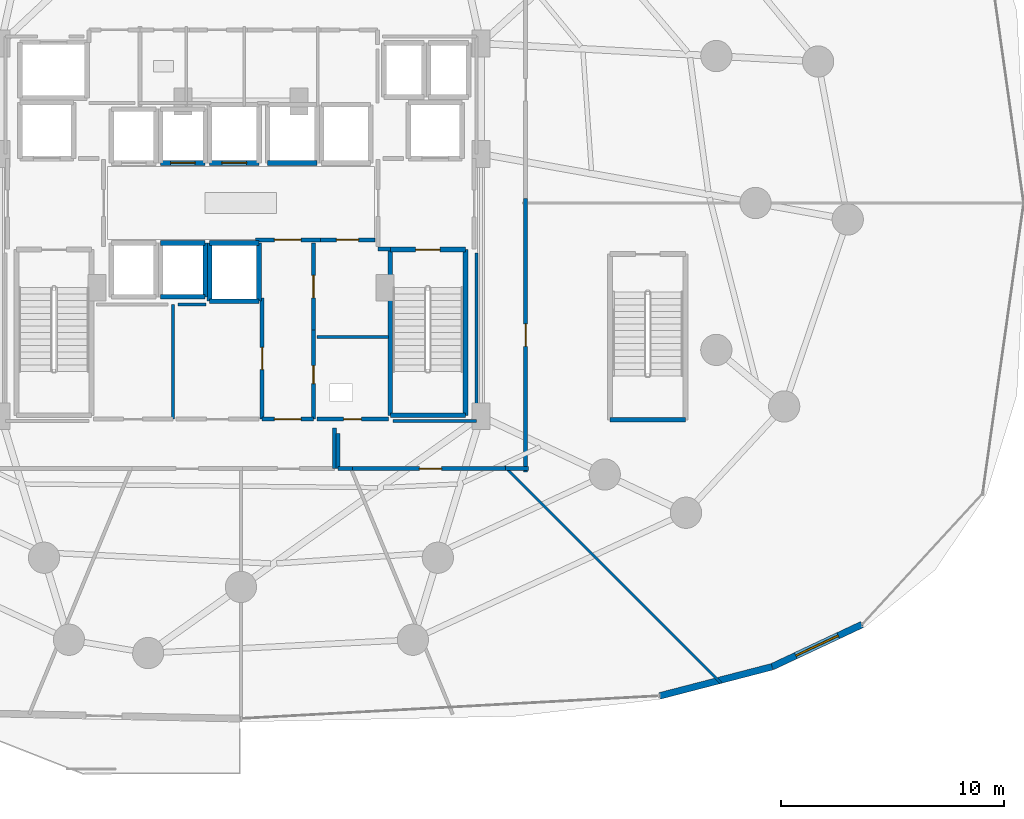
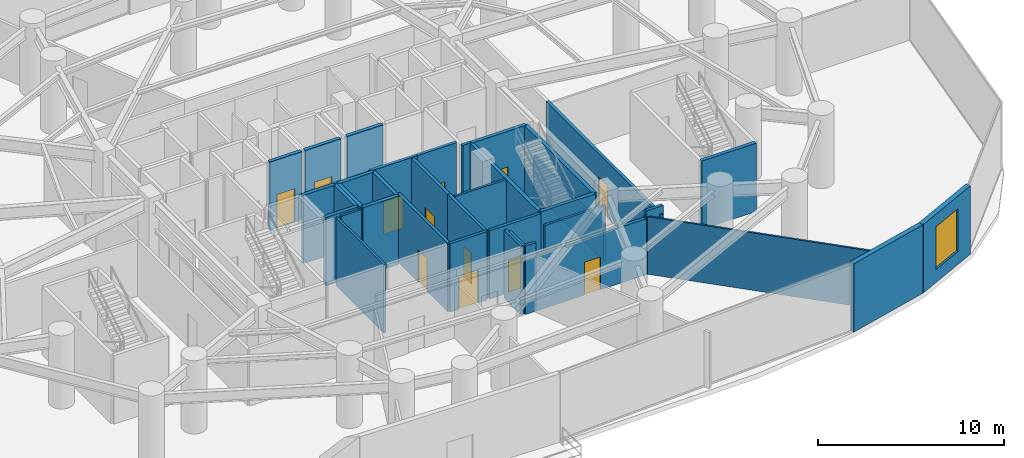
# One storey, part 25 of 30: 37 walls, 12 doors, 1 window, 13 openings.
"""IFC4 building model written with IfcOpenShell, lengths in metres."""

from ifc_helpers import new_model, si_unit, direction, frame, frame_2d, origin, place, context, subcontext, project, spatial, rectangle, extrude, material, layer, layer_set, type_object, element, fill, save


model = new_model("IFC4")

# Units and contexts
model_context = context("Model", 3, precision=1e-05, world=origin(), true_north=direction((0.0, 1.0)))
body_context = subcontext(model_context, "Body", "Model", "MODEL_VIEW")
ifc_project = project(units=[si_unit("LENGTHUNIT", "METRE"), si_unit("AREAUNIT", "SQUARE_METRE"), si_unit("VOLUMEUNIT", "CUBIC_METRE"), si_unit("PLANEANGLEUNIT", "RADIAN"), si_unit("MASSUNIT", "GRAM", prefix="KILO")], contexts=[model_context])

# Site, building, storey
site_placement = place(None, origin())
site = spatial("IfcSite", under=ifc_project, at=site_placement, CompositionType="ELEMENT")
building_placement = place(site_placement, origin())
building = spatial("IfcBuilding", under=site, at=building_placement, Name="Vorneva Point Tower", CompositionType="ELEMENT")
storey_placement = place(building_placement, frame((0.0, 0.0, 9.60009765625)))
storey = spatial("IfcBuildingStorey", under=building, at=storey_placement, Name="L02", CompositionType="ELEMENT", Elevation=9.60009765625)

# Wall
ifc_material_1 = material(Name="Precast concrete B50 (C40/50)", Category="concrete")
ifc_layer_1 = layer(ifc_material_1, 0.300048828125)
ifc_layer_set_1 = layer_set([ifc_layer_1], Name="Precast concrete B50 (C40/50)")
wall_type_1 = type_object("IfcWallType", Name="WL-EXT-300", PredefinedType="STANDARD", material=ifc_layer_set_1)
wall_1_placement = place(storey_placement, frame((56.75390625, 3.9189453125, 0.0), z_axis=(0.0, 0.0, 1.0), x_axis=(0.968005762902, 0.250927963744, 0.0)))
element("IfcWall", 1, at=wall_1_placement, inside=storey, type_object=wall_type_1, Name="L02 Pale-Metal Facade Spandrel Wall 14.1", PredefinedType="STANDARD", context=body_context, shape_type="SweptSolid", body=[
    extrude(rectangle(XDim=5.203369140625, YDim=0.300048828125, at=frame_2d((2.6015625, 0.0))), origin(), (0.0, 0.0, 1.0), 4.47998046875),
])

# Wall, opening, window
wall_2_placement = place(storey_placement, frame((61.790771484375, 5.224609375, 0.0), z_axis=(0.0, 0.0, 1.0), x_axis=(0.905197342389, 0.4249914956, 0.0)))
wall_2 = element("IfcWall", 2, at=wall_2_placement, inside=storey, type_object=wall_type_1, Name="L02 Pale-Metal Facade Spandrel Wall 14.2", PredefinedType="STANDARD", context=body_context, shape_type="SweptSolid", body=[
    extrude(rectangle(XDim=4.45263671875, YDim=0.300048828125, at=frame_2d((2.226318359375, 0.0))), origin(), (0.0, 0.0, 1.0), 4.47998046875),
])
opening_1_placement = place(wall_2_placement, frame((1.17626953125, 0.0, 0.85009765625)))
opening_1 = element("IfcOpeningElement", 3, at=opening_1_placement, cuts=wall_2, Name="Opening W-05", PredefinedType="OPENING", context=body_context, shape_type="SweptSolid", body=[
    extrude(rectangle(XDim=2.10009765625, YDim=2.800048828125, at=frame_2d((1.050048828125, 1.39990234375))), frame((0.0, 0.1650390625, 0.0), z_axis=(0.0, -1.0, 0.0), x_axis=(1.0, 0.0, 0.0)), (0.0, 0.0, 1.0), 0.329833984375),
])
ifc_material_2 = material(Name="Double low-e laminated glass IGU", Category="glass")
window_type = type_object("IfcWindowType", Name="WN-POD-2100", PartitioningType="SINGLE_PANEL", PredefinedType="WINDOW", material=ifc_material_2)
window_placement = place(opening_1_placement, origin())
window = element("IfcWindow", 4, at=window_placement, inside=storey, type_object=window_type, Name="L02 Facade Window 14", OverallHeight=2.800048828125, OverallWidth=2.10009765625, PartitioningType="SINGLE_PANEL", PredefinedType="WINDOW", context=body_context, shape_type="SweptSolid", body=[
    extrude(rectangle(XDim=2.10009765625, YDim=2.800048828125, at=frame_2d((1.050048828125, 1.39990234375))), frame((0.0, 0.030029296875, 0.0), z_axis=(0.0, -1.0, 0.0), x_axis=(1.0, 0.0, 0.0)), (0.0, 0.0, 1.0), 0.06005859375),
])
fill(opening_1, window)

# Walls
ifc_material_3 = material(Name="Fire-rated acoustic gypsum stud partition", Category="gypsum")
ifc_layer_2 = layer(ifc_material_3, 0.110107421875)
ifc_layer_set_2 = layer_set([ifc_layer_2], Name="Fire-rated acoustic gypsum stud partition")
wall_type_2 = type_object("IfcWallType", Name="WL-PART-110", PredefinedType="PARTITIONING", material=ifc_layer_set_2)
wall_3_placement = place(storey_placement, frame((59.5, 4.5, 0.0), z_axis=(0.0, 0.0, 1.0), x_axis=(-0.707106781187, 0.707106781187, 0.0)))
element("IfcWall", 5, at=wall_3_placement, inside=storey, type_object=wall_type_2, Name="L02 Interior Partition 049", PredefinedType="PARTITIONING", context=body_context, shape_type="SweptSolid", body=[
    extrude(rectangle(XDim=13.71630859375, YDim=0.110107421875, at=frame_2d((6.858154296875, 0.0))), origin(), (0.0, 0.0, 1.0), 3.768798828125),
])
ifc_layer_3 = layer(ifc_material_3, 0.139892578125)
ifc_layer_set_3 = layer_set([ifc_layer_3], Name="Fire-rated acoustic gypsum stud partition")
wall_type_3 = type_object("IfcWallType", Name="WL-PART-140", PredefinedType="PARTITIONING", material=ifc_layer_set_3)
wall_4_placement = place(storey_placement, frame((44.60009765625, 20.0, 0.0), z_axis=(0.0, 0.0, 1.0), x_axis=(-1.0, 0.0, 0.0)))
element("IfcWall", 6, at=wall_4_placement, inside=storey, type_object=wall_type_3, Name="L02 Interior Partition 015", PredefinedType="PARTITIONING", context=body_context, shape_type="SweptSolid", body=[
    extrude(rectangle(XDim=3.2001953125, YDim=0.139892578125, at=frame_2d((1.60009765625, 0.0))), origin(), (0.0, 0.0, 1.0), 4.47998046875),
])
wall_5_placement = place(storey_placement, frame((34.949951171875, 16.320068359375, 0.0), z_axis=(0.0, 0.0, 1.0), x_axis=(0.0, 1.0, 0.0)))
element("IfcWall", 7, at=wall_5_placement, inside=storey, type_object=wall_type_3, Name="L02 Interior Partition 025", PredefinedType="PARTITIONING", context=body_context, shape_type="SweptSolid", body=[
    extrude(rectangle(XDim=5.1298828125, YDim=0.139892578125, at=frame_2d((2.56494140625, 0.0))), origin(), (0.0, 0.0, 1.0), 4.47998046875),
])
wall_6_placement = place(storey_placement, frame((36.43896484375, 21.449951171875, 0.0), z_axis=(0.0, 0.0, 1.0), x_axis=(-1.0, 0.0, 0.0)))
element("IfcWall", 8, at=wall_6_placement, inside=storey, type_object=wall_type_3, Name="L02 Interior Closure Partition 059", PredefinedType="PARTITIONING", context=body_context, shape_type="SweptSolid", body=[
    extrude(rectangle(XDim=1.259033203125, YDim=0.139892578125, at=frame_2d((0.62939453125, 0.0))), origin(), (0.0, 0.0, 1.0), 4.47998046875),
])
wall_7_placement = place(storey_placement, frame((48.550048828125, 23.75390625, 0.0), z_axis=(0.0, 0.0, 1.0), x_axis=(0.0, -1.0, 0.0)))
element("IfcWall", 9, at=wall_7_placement, inside=storey, type_object=wall_type_3, Name="L02 Interior Closure Partition 062", PredefinedType="PARTITIONING", context=body_context, shape_type="SweptSolid", body=[
    extrude(rectangle(XDim=7.513916015625, YDim=0.139892578125, at=frame_2d((3.7568359375, 0.0))), origin(), (0.0, 0.0, 1.0), 2.406005859375),
])
wall_8_placement = place(storey_placement, frame((48.550048828125, 16.239990234375, 0.0), z_axis=(0.0, 0.0, 1.0), x_axis=(-1.0, 0.0, 0.0)))
element("IfcWall", 10, at=wall_8_placement, inside=storey, type_object=wall_type_3, Name="L02 Interior Closure Partition 063", PredefinedType="PARTITIONING", context=body_context, shape_type="SweptSolid", body=[
    extrude(rectangle(XDim=3.7451171875, YDim=0.139892578125, at=frame_2d((1.87255859375, 0.0))), origin(), (0.0, 0.0, 1.0), 3.671875),
])
ifc_material_4 = material(Name="Autoclaved aerated concrete blockwork", Category="masonry")
ifc_layer_4 = layer(ifc_material_4, 0.179931640625)
ifc_layer_set_4 = layer_set([ifc_layer_4], Name="Autoclaved aerated concrete blockwork")
wall_type_4 = type_object("IfcWallType", Name="WL-PART-180", PredefinedType="PARTITIONING", material=ifc_layer_set_4)
wall_9_placement = place(storey_placement, frame((44.14990234375, 23.949951171875, 0.0), z_axis=(0.0, 0.0, 1.0), x_axis=(1.0, 0.0, 0.0)))
element("IfcWall", 11, at=wall_9_placement, inside=storey, type_object=wall_type_4, Name="L02 Interior Partition 004", PredefinedType="PARTITIONING", context=body_context, shape_type="SweptSolid", body=[
    extrude(rectangle(XDim=0.5400390625, YDim=0.179931640625, at=frame_2d((0.27001953125, 0.0))), origin(), (0.0, 0.0, 1.0), 4.47998046875),
])

# Wall, opening, door
wall_10_placement = place(storey_placement, frame((38.64501953125, 24.35009765625, 0.0), z_axis=(0.0, 0.0, 1.0), x_axis=(1.0, 0.0, 0.0)))
wall_10 = element("IfcWall", 12, at=wall_10_placement, inside=storey, type_object=wall_type_4, Name="L02 Interior Partition 009", PredefinedType="PARTITIONING", context=body_context, shape_type="SweptSolid", body=[
    extrude(rectangle(XDim=2.909912109375, YDim=0.179931640625, at=frame_2d((1.455078125, 0.0))), origin(), (0.0, 0.0, 1.0), 4.47998046875),
])
opening_2_placement = place(wall_10_placement, frame((0.85498046875, 0.0, 0.0)))
opening_2 = element("IfcOpeningElement", 13, at=opening_2_placement, cuts=wall_10, Name="Opening FD-02", PredefinedType="OPENING", context=body_context, shape_type="SweptSolid", body=[
    extrude(rectangle(XDim=1.199951171875, YDim=2.14990234375, at=frame_2d((0.60009765625, 1.074951171875))), frame((0.0, 0.10498046875, 0.0), z_axis=(0.0, -1.0, 0.0), x_axis=(1.0, 0.0, 0.0)), (0.0, 0.0, 1.0), 0.209716796875),
])
ifc_material_5 = material(Name="Fire-rated powder-coated steel", Category="steel")
door_type_1 = type_object("IfcDoorType", Name="DR-FFL-1200", OperationType="NOTDEFINED", PredefinedType="DOOR", material=ifc_material_5)
door_1_placement = place(opening_2_placement, origin())
door_1 = element("IfcDoor", 14, at=door_1_placement, inside=storey, type_object=door_type_1, Name="L02 Door Central Lift Lobby / Core Service Lobby", OperationType="SINGLE_SWING_RIGHT", OverallHeight=2.14990234375, OverallWidth=1.199951171875, PredefinedType="DOOR", context=body_context, shape_type="SweptSolid", body=[
    extrude(rectangle(XDim=1.199951171875, YDim=2.14990234375, at=frame_2d((0.60009765625, 1.074951171875))), frame((0.0, 0.02490234375, 0.0), z_axis=(0.0, -1.0, 0.0), x_axis=(1.0, 0.0, 0.0)), (0.0, 0.0, 1.0), 0.050048828125),
])
fill(opening_2, door_1)

wall_11_placement = place(storey_placement, frame((41.554931640625, 24.35009765625, 0.0), z_axis=(0.0, 0.0, 1.0), x_axis=(1.0, 0.0, 0.0)))
wall_11 = element("IfcWall", 15, at=wall_11_placement, inside=storey, type_object=wall_type_4, Name="L02 Interior Partition 010", PredefinedType="PARTITIONING", context=body_context, shape_type="SweptSolid", body=[
    extrude(rectangle(XDim=2.445068359375, YDim=0.179931640625, at=frame_2d((1.22265625, 0.0))), origin(), (0.0, 0.0, 1.0), 4.47998046875),
])
opening_3_placement = place(wall_11_placement, frame((0.722412109375, 0.0, 0.0)))
opening_3 = element("IfcOpeningElement", 16, at=opening_3_placement, cuts=wall_11, Name="Opening UD-01", PredefinedType="OPENING", context=body_context, shape_type="SweptSolid", body=[
    extrude(rectangle(XDim=1.0, YDim=2.14990234375, at=frame_2d((0.5, 1.074951171875))), frame((0.0, 0.10498046875, 0.0), z_axis=(0.0, -1.0, 0.0), x_axis=(1.0, 0.0, 0.0)), (0.0, 0.0, 1.0), 0.209716796875),
])
ifc_material_6 = material(Name="Engineered oak fire-rated door leaf", Category="wood")
door_type_2 = type_object("IfcDoorType", Name="DR-UNIT-1000", OperationType="NOTDEFINED", PredefinedType="DOOR", material=ifc_material_6)
door_2_placement = place(opening_3_placement, origin())
door_2 = element("IfcDoor", 17, at=door_2_placement, inside=storey, type_object=door_type_2, Name="L02 Door Central Lift Lobby / Floor Management Office", OperationType="SINGLE_SWING_LEFT", OverallHeight=2.14990234375, OverallWidth=1.0, PredefinedType="DOOR", context=body_context, shape_type="SweptSolid", body=[
    extrude(rectangle(XDim=1.0, YDim=2.14990234375, at=frame_2d((0.5, 1.074951171875))), frame((0.0, 0.02490234375, 0.0), z_axis=(0.0, -1.0, 0.0), x_axis=(1.0, 0.0, 0.0)), (0.0, 0.0, 1.0), 0.050048828125),
])
fill(opening_3, door_2)

wall_12_placement = place(storey_placement, frame((41.25, 16.320068359375, 0.0), z_axis=(0.0, 0.0, 1.0), x_axis=(0.0, 1.0, 0.0)))
wall_12 = element("IfcWall", 18, at=wall_12_placement, inside=storey, type_object=wall_type_4, Name="L02 Interior Partition 011", PredefinedType="PARTITIONING", context=body_context, shape_type="SweptSolid", body=[
    extrude(rectangle(XDim=3.98486328125, YDim=0.179931640625, at=frame_2d((1.992431640625, 0.0))), origin(), (0.0, 0.0, 1.0), 4.47998046875),
])
opening_4_placement = place(wall_12_placement, frame((1.592529296875, 0.0, 0.0)))
opening_4 = element("IfcOpeningElement", 19, at=opening_4_placement, cuts=wall_12, Name="Opening RD-01", PredefinedType="OPENING", context=body_context, shape_type="SweptSolid", body=[
    extrude(rectangle(XDim=0.800048828125, YDim=2.050048828125, at=frame_2d((0.39990234375, 1.02490234375))), frame((0.0, 0.10498046875, 0.0), z_axis=(0.0, -1.0, 0.0), x_axis=(1.0, 0.0, 0.0)), (0.0, 0.0, 1.0), 0.209716796875),
])
door_type_3 = type_object("IfcDoorType", Name="DR-RSR-800", OperationType="SINGLE_SWING_LEFT", PredefinedType="DOOR", material=ifc_material_5)
door_3_placement = place(opening_4_placement, origin())
door_3 = element("IfcDoor", 20, at=door_3_placement, inside=storey, type_object=door_type_3, Name="L02 Door Core Service Lobby / Electrical Riser", OperationType="SINGLE_SWING_RIGHT", OverallHeight=2.050048828125, OverallWidth=0.800048828125, PredefinedType="DOOR", context=body_context, shape_type="SweptSolid", body=[
    extrude(rectangle(XDim=0.800048828125, YDim=2.050048828125, at=frame_2d((0.39990234375, 1.02490234375))), frame((0.0, 0.02490234375, 0.0), z_axis=(0.0, -1.0, 0.0), x_axis=(1.0, 0.0, 0.0)), (0.0, 0.0, 1.0), 0.050048828125),
])
fill(opening_4, door_3)

wall_13_placement = place(storey_placement, frame((41.25, 20.304931640625, 0.0), z_axis=(0.0, 0.0, 1.0), x_axis=(0.0, 1.0, 0.0)))
wall_13 = element("IfcWall", 21, at=wall_13_placement, inside=storey, type_object=wall_type_4, Name="L02 Interior Partition 012", PredefinedType="PARTITIONING", context=body_context, shape_type="SweptSolid", body=[
    extrude(rectangle(XDim=3.89501953125, YDim=0.179931640625, at=frame_2d((1.947509765625, 0.0))), origin(), (0.0, 0.0, 1.0), 4.47998046875),
])
opening_5_placement = place(wall_13_placement, frame((1.447509765625, 0.0, 0.0)))
opening_5 = element("IfcOpeningElement", 22, at=opening_5_placement, cuts=wall_13, Name="Opening UD-01", PredefinedType="OPENING", context=body_context, shape_type="SweptSolid", body=[
    extrude(rectangle(XDim=1.0, YDim=2.14990234375, at=frame_2d((0.5, 1.074951171875))), frame((0.0, 0.10498046875, 0.0), z_axis=(0.0, -1.0, 0.0), x_axis=(1.0, 0.0, 0.0)), (0.0, 0.0, 1.0), 0.209716796875),
])
door_4_placement = place(opening_5_placement, origin())
door_4 = element("IfcDoor", 23, at=door_4_placement, inside=storey, type_object=door_type_2, Name="L02 Door Core Service Lobby / Floor Management Office", OperationType="SINGLE_SWING_LEFT", OverallHeight=2.14990234375, OverallWidth=1.0, PredefinedType="DOOR", context=body_context, shape_type="SweptSolid", body=[
    extrude(rectangle(XDim=1.0, YDim=2.14990234375, at=frame_2d((0.5, 1.074951171875))), frame((0.0, 0.02490234375, 0.0), z_axis=(0.0, -1.0, 0.0), x_axis=(1.0, 0.0, 0.0)), (0.0, 0.0, 1.0), 0.050048828125),
])
fill(opening_5, door_4)

wall_14_placement = place(storey_placement, frame((38.949951171875, 21.7548828125, 0.0), z_axis=(0.0, 0.0, 1.0), x_axis=(0.0, -1.0, 0.0)))
wall_14 = element("IfcWall", 24, at=wall_14_placement, inside=storey, type_object=wall_type_4, Name="L02 Interior Partition 013", PredefinedType="PARTITIONING", context=body_context, shape_type="SweptSolid", body=[
    extrude(rectangle(XDim=5.434814453125, YDim=0.179931640625, at=frame_2d((2.71728515625, 0.0))), origin(), (0.0, 0.0, 1.0), 4.47998046875),
])
opening_6_placement = place(wall_14_placement, frame((2.217529296875, 0.0, 0.0)))
opening_6 = element("IfcOpeningElement", 25, at=opening_6_placement, cuts=wall_14, Name="Opening UD-01", PredefinedType="OPENING", context=body_context, shape_type="SweptSolid", body=[
    extrude(rectangle(XDim=1.0, YDim=2.14990234375, at=frame_2d((0.5, 1.074951171875))), frame((0.0, 0.10498046875, 0.0), z_axis=(0.0, -1.0, 0.0), x_axis=(1.0, 0.0, 0.0)), (0.0, 0.0, 1.0), 0.209716796875),
])
door_5_placement = place(opening_6_placement, origin())
door_5 = element("IfcDoor", 26, at=door_5_placement, inside=storey, type_object=door_type_2, Name="L02 Door Core Service Lobby / Staff Service Pantry", OperationType="SINGLE_SWING_RIGHT", OverallHeight=2.14990234375, OverallWidth=1.0, PredefinedType="DOOR", context=body_context, shape_type="SweptSolid", body=[
    extrude(rectangle(XDim=1.0, YDim=2.14990234375, at=frame_2d((0.5, 1.074951171875))), frame((0.0, 0.02490234375, 0.0), z_axis=(0.0, -1.0, 0.0), x_axis=(1.0, 0.0, 0.0)), (0.0, 0.0, 1.0), 0.050048828125),
])
fill(opening_6, door_5)

wall_15_placement = place(storey_placement, frame((38.949951171875, 16.320068359375, 0.0), z_axis=(0.0, 0.0, 1.0), x_axis=(1.0, 0.0, 0.0)))
wall_15 = element("IfcWall", 27, at=wall_15_placement, inside=storey, type_object=wall_type_4, Name="L02 Interior Partition 014", PredefinedType="PARTITIONING", context=body_context, shape_type="SweptSolid", body=[
    extrude(rectangle(XDim=2.300048828125, YDim=0.179931640625, at=frame_2d((1.14990234375, 0.0))), origin(), (0.0, 0.0, 1.0), 4.47998046875),
])
opening_7_placement = place(wall_15_placement, frame((0.550048828125, 0.0, 0.0)))
opening_7 = element("IfcOpeningElement", 28, at=opening_7_placement, cuts=wall_15, Name="Opening FD-02", PredefinedType="OPENING", context=body_context, shape_type="SweptSolid", body=[
    extrude(rectangle(XDim=1.199951171875, YDim=2.14990234375, at=frame_2d((0.60009765625, 1.074951171875))), frame((0.0, 0.10498046875, 0.0), z_axis=(0.0, -1.0, 0.0), x_axis=(1.0, 0.0, 0.0)), (0.0, 0.0, 1.0), 0.209716796875),
])
door_6_placement = place(opening_7_placement, origin())
door_6 = element("IfcDoor", 29, at=door_6_placement, inside=storey, type_object=door_type_1, Name="L02 Door Core Service Lobby / L02 Circulation Corridor", OperationType="SINGLE_SWING_LEFT", OverallHeight=2.14990234375, OverallWidth=1.199951171875, PredefinedType="DOOR", context=body_context, shape_type="SweptSolid", body=[
    extrude(rectangle(XDim=1.199951171875, YDim=2.14990234375, at=frame_2d((0.60009765625, 1.074951171875))), frame((0.0, 0.02490234375, 0.0), z_axis=(0.0, -1.0, 0.0), x_axis=(1.0, 0.0, 0.0)), (0.0, 0.0, 1.0), 0.050048828125),
])
fill(opening_7, door_6)

wall_16_placement = place(storey_placement, frame((41.39990234375, 16.320068359375, 0.0), z_axis=(0.0, 0.0, 1.0), x_axis=(1.0, 0.0, 0.0)))
wall_16 = element("IfcWall", 30, at=wall_16_placement, inside=storey, type_object=wall_type_4, Name="L02 Interior Partition 016", PredefinedType="PARTITIONING", context=body_context, shape_type="SweptSolid", body=[
    extrude(rectangle(XDim=3.2001953125, YDim=0.179931640625, at=frame_2d((1.60009765625, 0.0))), origin(), (0.0, 0.0, 1.0), 4.47998046875),
])
opening_8_placement = place(wall_16_placement, frame((1.199951171875, 0.0, 0.0)))
opening_8 = element("IfcOpeningElement", 31, at=opening_8_placement, cuts=wall_16, Name="Opening RD-01", PredefinedType="OPENING", context=body_context, shape_type="SweptSolid", body=[
    extrude(rectangle(XDim=0.800048828125, YDim=2.050048828125, at=frame_2d((0.39990234375, 1.02490234375))), frame((0.0, 0.10498046875, 0.0), z_axis=(0.0, -1.0, 0.0), x_axis=(1.0, 0.0, 0.0)), (0.0, 0.0, 1.0), 0.209716796875),
])
door_7_placement = place(opening_8_placement, origin())
door_7 = element("IfcDoor", 32, at=door_7_placement, inside=storey, type_object=door_type_3, Name="L02 Door Electrical Riser / L02 Circulation Corridor", OperationType="SINGLE_SWING_RIGHT", OverallHeight=2.050048828125, OverallWidth=0.800048828125, PredefinedType="DOOR", context=body_context, shape_type="SweptSolid", body=[
    extrude(rectangle(XDim=0.800048828125, YDim=2.050048828125, at=frame_2d((0.39990234375, 1.02490234375))), frame((0.0, 0.02490234375, 0.0), z_axis=(0.0, -1.0, 0.0), x_axis=(1.0, 0.0, 0.0)), (0.0, 0.0, 1.0), 0.050048828125),
])
fill(opening_8, door_7)

# Walls
wall_17_placement = place(storey_placement, frame((42.340087890625, 15.678955078125, 0.0), z_axis=(0.0, 0.0, 1.0), x_axis=(0.0, -1.0, 0.0)))
element("IfcWall", 33, at=wall_17_placement, inside=storey, type_object=wall_type_4, Name="L02 Interior Partition 034", PredefinedType="PARTITIONING", context=body_context, shape_type="SweptSolid", body=[
    extrude(rectangle(XDim=1.578857421875, YDim=0.179931640625, at=frame_2d((0.78955078125, 0.0))), origin(), (0.0, 0.0, 1.0), 4.47998046875),
])
wall_18_placement = place(storey_placement, frame((42.340087890625, 14.10009765625, 0.0), z_axis=(0.0, 0.0, 1.0), x_axis=(1.0, 0.0, 0.0)))
element("IfcWall", 34, at=wall_18_placement, inside=storey, type_object=wall_type_4, Name="L02 Interior Partition 035", PredefinedType="PARTITIONING", context=body_context, shape_type="SweptSolid", body=[
    extrude(rectangle(XDim=0.65380859375, YDim=0.179931640625, at=frame_2d((0.326904296875, 0.0))), origin(), (0.0, 0.0, 1.0), 4.47998046875),
])
wall_19_placement = place(storey_placement, frame((42.199951171875, 14.10009765625, 0.0), z_axis=(0.0, 0.0, 1.0), x_axis=(0.0, 1.0, 0.0)))
element("IfcWall", 35, at=wall_19_placement, inside=storey, type_object=wall_type_4, Name="L02 Interior Partition 037", PredefinedType="PARTITIONING", context=body_context, shape_type="SweptSolid", body=[
    extrude(rectangle(XDim=1.81982421875, YDim=0.179931640625, at=frame_2d((0.909912109375, 0.0))), origin(), (0.0, 0.0, 1.0), 4.47998046875),
])

# Wall, opening, door
wall_20_placement = place(storey_placement, frame((42.993896484375, 14.10009765625, 0.0), z_axis=(0.0, 0.0, 1.0), x_axis=(1.0, 0.0, 0.0)))
wall_20 = element("IfcWall", 36, at=wall_20_placement, inside=storey, type_object=wall_type_4, Name="L02 Interior Partition 038", PredefinedType="PARTITIONING", context=body_context, shape_type="SweptSolid", body=[
    extrude(rectangle(XDim=6.9912109375, YDim=0.179931640625, at=frame_2d((3.49560546875, 0.0))), origin(), (0.0, 0.0, 1.0), 3.671875),
])
opening_9_placement = place(wall_20_placement, frame((2.99560546875, 0.0, 0.0)))
opening_9 = element("IfcOpeningElement", 37, at=opening_9_placement, cuts=wall_20, Name="Opening UD-01", PredefinedType="OPENING", context=body_context, shape_type="SweptSolid", body=[
    extrude(rectangle(XDim=1.0, YDim=2.14990234375, at=frame_2d((0.5, 1.074951171875))), frame((0.0, 0.10498046875, 0.0), z_axis=(0.0, -1.0, 0.0), x_axis=(1.0, 0.0, 0.0)), (0.0, 0.0, 1.0), 0.209716796875),
])
door_8_placement = place(opening_9_placement, origin())
door_8 = element("IfcDoor", 38, at=door_8_placement, inside=storey, type_object=door_type_2, Name="L02 Door L02 Circulation Corridor / Private Horizon Dining Room L02", OperationType="SINGLE_SWING_RIGHT", OverallHeight=2.14990234375, OverallWidth=1.0, PredefinedType="DOOR", context=body_context, shape_type="SweptSolid", body=[
    extrude(rectangle(XDim=1.0, YDim=2.14990234375, at=frame_2d((0.5, 1.074951171875))), frame((0.0, 0.02490234375, 0.0), z_axis=(0.0, -1.0, 0.0), x_axis=(1.0, 0.0, 0.0)), (0.0, 0.0, 1.0), 0.050048828125),
])
fill(opening_9, door_8)

# Wall
wall_21_placement = place(storey_placement, frame((49.844970703125, 14.10009765625, 0.0), z_axis=(0.0, 0.0, 1.0), x_axis=(1.0, 0.0, 0.0)))
element("IfcWall", 39, at=wall_21_placement, inside=storey, type_object=wall_type_4, Name="L02 Interior Partition 039", PredefinedType="PARTITIONING", context=body_context, shape_type="SweptSolid", body=[
    extrude(rectangle(XDim=1.044921875, YDim=0.179931640625, at=frame_2d((0.5224609375, 0.0))), origin(), (0.0, 0.0, 1.0), 4.1689453125),
])

# Wall, opening, door
wall_22_placement = place(storey_placement, frame((50.75, 13.9599609375, 0.0), z_axis=(0.0, 0.0, 1.0), x_axis=(0.0, 1.0, 0.0)))
wall_22 = element("IfcWall", 40, at=wall_22_placement, inside=storey, type_object=wall_type_4, Name="L02 Interior Partition 040", PredefinedType="PARTITIONING", context=body_context, shape_type="SweptSolid", body=[
    extrude(rectangle(XDim=12.239990234375, YDim=0.179931640625, at=frame_2d((6.1201171875, 0.0))), origin(), (0.0, 0.0, 1.0), 3.671875),
])
opening_10_placement = place(wall_22_placement, frame((5.6201171875, 0.0, 0.0)))
opening_10 = element("IfcOpeningElement", 41, at=opening_10_placement, cuts=wall_22, Name="Opening UD-01", PredefinedType="OPENING", context=body_context, shape_type="SweptSolid", body=[
    extrude(rectangle(XDim=1.0, YDim=2.14990234375, at=frame_2d((0.5, 1.074951171875))), frame((0.0, 0.10498046875, 0.0), z_axis=(0.0, -1.0, 0.0), x_axis=(1.0, 0.0, 0.0)), (0.0, 0.0, 1.0), 0.209716796875),
])
door_9_placement = place(opening_10_placement, origin())
door_9 = element("IfcDoor", 42, at=door_9_placement, inside=storey, type_object=door_type_2, Name="L02 Door L02 Circulation Corridor / Commercial Kitchen L02", OperationType="SINGLE_SWING_LEFT", OverallHeight=2.14990234375, OverallWidth=1.0, PredefinedType="DOOR", context=body_context, shape_type="SweptSolid", body=[
    extrude(rectangle(XDim=1.0, YDim=2.14990234375, at=frame_2d((0.5, 1.074951171875))), frame((0.0, 0.02490234375, 0.0), z_axis=(0.0, -1.0, 0.0), x_axis=(1.0, 0.0, 0.0)), (0.0, 0.0, 1.0), 0.050048828125),
])
fill(opening_10, door_9)

ifc_material_7 = material(Name="Concrete B50 (C40/50)", Category="concrete")
ifc_layer_5 = layer(ifc_material_7, 0.219970703125)
ifc_layer_set_5 = layer_set([ifc_layer_5], Name="Concrete B50 (C40/50)")
wall_type_5 = type_object("IfcWallType", Name="WL-SHFT-220", PredefinedType="SOLIDWALL", material=ifc_layer_set_5)
wall_23_placement = place(storey_placement, frame((44.68994140625, 23.909912109375, 0.0), z_axis=(0.0, 0.0, 1.0), x_axis=(1.0, 0.0, 0.0)))
wall_23 = element("IfcWall", 43, at=wall_23_placement, inside=storey, type_object=wall_type_5, Name="L02 Exit Stair ST2 Shaft Wall near", PredefinedType="SOLIDWALL", context=body_context, shape_type="SweptSolid", body=[
    extrude(rectangle(XDim=3.3701171875, YDim=0.219970703125, at=frame_2d((1.68505859375, 0.0))), origin(), (0.0, 0.0, 1.0), 4.47998046875),
])
opening_11_placement = place(wall_23_placement, frame((1.135009765625, 0.0, 0.0)))
opening_11 = element("IfcOpeningElement", 44, at=opening_11_placement, cuts=wall_23, Name="Opening FD-01", PredefinedType="OPENING", context=body_context, shape_type="SweptSolid", body=[
    extrude(rectangle(XDim=1.10009765625, YDim=2.14990234375, at=frame_2d((0.550048828125, 1.074951171875))), frame((0.0, 0.125, 0.0), z_axis=(0.0, -1.0, 0.0), x_axis=(1.0, 0.0, 0.0)), (0.0, 0.0, 1.0), 0.249755859375),
])
door_type_4 = type_object("IfcDoorType", Name="DR-STAIR-1100", OperationType="NOTDEFINED", PredefinedType="DOOR", material=ifc_material_5)
door_10_placement = place(opening_11_placement, origin())
door_10 = element("IfcDoor", 45, at=door_10_placement, inside=storey, type_object=door_type_4, Name="L02 Exit Stair ST2 Fire Door", OperationType="SINGLE_SWING_LEFT", OverallHeight=2.14990234375, OverallWidth=1.10009765625, PredefinedType="DOOR", context=body_context, shape_type="SweptSolid", body=[
    extrude(rectangle(XDim=1.10009765625, YDim=2.14990234375, at=frame_2d((0.550048828125, 1.074951171875))), frame((0.0, 0.02490234375, 0.0), z_axis=(0.0, -1.0, 0.0), x_axis=(1.0, 0.0, 0.0)), (0.0, 0.0, 1.0), 0.050048828125),
])
fill(opening_11, door_10)

# Walls
wall_24_placement = place(storey_placement, frame((48.06005859375, 23.909912109375, 0.0), z_axis=(0.0, 0.0, 1.0), x_axis=(0.0, -1.0, 0.0)))
element("IfcWall", 46, at=wall_24_placement, inside=storey, type_object=wall_type_5, Name="L02 Exit Stair ST2 Shaft Wall right", PredefinedType="SOLIDWALL", context=body_context, shape_type="SweptSolid", body=[
    extrude(rectangle(XDim=7.419921875, YDim=0.219970703125, at=frame_2d((3.7099609375, 0.0))), origin(), (0.0, 0.0, 1.0), 4.47998046875),
])
wall_25_placement = place(storey_placement, frame((48.06005859375, 16.489990234375, 0.0), z_axis=(0.0, 0.0, 1.0), x_axis=(-1.0, 0.0, 0.0)))
element("IfcWall", 47, at=wall_25_placement, inside=storey, type_object=wall_type_5, Name="L02 Exit Stair ST2 Shaft Wall far", PredefinedType="SOLIDWALL", context=body_context, shape_type="SweptSolid", body=[
    extrude(rectangle(XDim=3.3701171875, YDim=0.219970703125, at=frame_2d((1.68505859375, 0.0))), origin(), (0.0, 0.0, 1.0), 4.47998046875),
])
wall_26_placement = place(storey_placement, frame((44.68994140625, 16.489990234375, 0.0), z_axis=(0.0, 0.0, 1.0), x_axis=(0.0, 1.0, 0.0)))
element("IfcWall", 48, at=wall_26_placement, inside=storey, type_object=wall_type_5, Name="L02 Exit Stair ST2 Shaft Wall left", PredefinedType="SOLIDWALL", context=body_context, shape_type="SweptSolid", body=[
    extrude(rectangle(XDim=7.419921875, YDim=0.219970703125, at=frame_2d((3.7099609375, 0.0))), origin(), (0.0, 0.0, 1.0), 4.47998046875),
])
wall_27_placement = place(storey_placement, frame((57.909912109375, 16.2900390625, 0.0), z_axis=(0.0, 0.0, 1.0), x_axis=(-1.0, 0.0, 0.0)))
element("IfcWall", 49, at=wall_27_placement, inside=storey, type_object=wall_type_5, Name="L02 Exit Stair ST4 Shaft Wall far", PredefinedType="SOLIDWALL", context=body_context, shape_type="SweptSolid", body=[
    extrude(rectangle(XDim=3.369873046875, YDim=0.219970703125, at=frame_2d((1.68505859375, 0.0))), origin(), (0.0, 0.0, 1.0), 4.47998046875),
])

# Wall, opening, door
wall_28_placement = place(storey_placement, frame((34.39990234375, 27.800048828125, 0.0), z_axis=(0.0, 0.0, 1.0), x_axis=(1.0, 0.0, 0.0)))
wall_28 = element("IfcWall", 50, at=wall_28_placement, inside=storey, type_object=wall_type_5, Name="L02 Lift PL2 Shaft Wall -Y", PredefinedType="SOLIDWALL", context=body_context, shape_type="SweptSolid", body=[
    extrude(rectangle(XDim=2.0, YDim=0.219970703125, at=frame_2d((1.0, 0.0))), origin(), (0.0, 0.0, 1.0), 4.47998046875),
])
opening_12_placement = place(wall_28_placement, frame((0.449951171875, 0.0, 0.0)))
opening_12 = element("IfcOpeningElement", 51, at=opening_12_placement, cuts=wall_28, Name="Opening LD-01", PredefinedType="OPENING", context=body_context, shape_type="SweptSolid", body=[
    extrude(rectangle(XDim=1.10009765625, YDim=2.199951171875, at=frame_2d((0.550048828125, 1.10009765625))), frame((0.0, 0.125, 0.0), z_axis=(0.0, -1.0, 0.0), x_axis=(1.0, 0.0, 0.0)), (0.0, 0.0, 1.0), 0.249755859375),
])
ifc_material_8 = material(Name="Brushed stainless steel S304", Category="steel")
door_type_5 = type_object("IfcDoorType", Name="LD-PASS-1100", OperationType="SLIDING_TO_LEFT", PredefinedType="DOOR", material=ifc_material_8)
door_11_placement = place(opening_12_placement, origin())
door_11 = element("IfcDoor", 52, at=door_11_placement, inside=storey, type_object=door_type_5, Name="L02 Lift PL2 Sliding Landing Door", OperationType="SLIDING_TO_LEFT", OverallHeight=2.199951171875, OverallWidth=1.10009765625, PredefinedType="DOOR", context=body_context, shape_type="SweptSolid", body=[
    extrude(rectangle(XDim=1.10009765625, YDim=2.199951171875, at=frame_2d((0.550048828125, 1.10009765625))), frame((0.0, 0.02490234375, 0.0), z_axis=(0.0, -1.0, 0.0), x_axis=(1.0, 0.0, 0.0)), (0.0, 0.0, 1.0), 0.050048828125),
])
fill(opening_12, door_11)

wall_29_placement = place(storey_placement, frame((36.60009765625, 27.800048828125, 0.0), z_axis=(0.0, 0.0, 1.0), x_axis=(1.0, 0.0, 0.0)))
wall_29 = element("IfcWall", 53, at=wall_29_placement, inside=storey, type_object=wall_type_5, Name="L02 Lift PL3 Shaft Wall -Y", PredefinedType="SOLIDWALL", context=body_context, shape_type="SweptSolid", body=[
    extrude(rectangle(XDim=2.199951171875, YDim=0.219970703125, at=frame_2d((1.10009765625, 0.0))), origin(), (0.0, 0.0, 1.0), 4.47998046875),
])
opening_13_placement = place(wall_29_placement, frame((0.550048828125, 0.0, 0.0)))
opening_13 = element("IfcOpeningElement", 54, at=opening_13_placement, cuts=wall_29, Name="Opening LD-01", PredefinedType="OPENING", context=body_context, shape_type="SweptSolid", body=[
    extrude(rectangle(XDim=1.10009765625, YDim=2.199951171875, at=frame_2d((0.550048828125, 1.10009765625))), frame((0.0, 0.125, 0.0), z_axis=(0.0, -1.0, 0.0), x_axis=(1.0, 0.0, 0.0)), (0.0, 0.0, 1.0), 0.249755859375),
])
door_12_placement = place(opening_13_placement, origin())
door_12 = element("IfcDoor", 55, at=door_12_placement, inside=storey, type_object=door_type_5, Name="L02 Lift PL3 Sliding Landing Door", OperationType="SLIDING_TO_LEFT", OverallHeight=2.199951171875, OverallWidth=1.10009765625, PredefinedType="DOOR", context=body_context, shape_type="SweptSolid", body=[
    extrude(rectangle(XDim=1.10009765625, YDim=2.199951171875, at=frame_2d((0.550048828125, 1.10009765625))), frame((0.0, 0.02490234375, 0.0), z_axis=(0.0, -1.0, 0.0), x_axis=(1.0, 0.0, 0.0)), (0.0, 0.0, 1.0), 0.050048828125),
])
fill(opening_13, door_12)

# Walls
wall_30_placement = place(storey_placement, frame((34.39990234375, 21.800048828125, 0.0), z_axis=(0.0, 0.0, 1.0), x_axis=(1.0, 0.0, 0.0)))
element("IfcWall", 56, at=wall_30_placement, inside=storey, type_object=wall_type_5, Name="L02 Lift PL5 Shaft Wall -Y", PredefinedType="SOLIDWALL", context=body_context, shape_type="SweptSolid", body=[
    extrude(rectangle(XDim=2.0, YDim=0.219970703125, at=frame_2d((1.0, 0.0))), origin(), (0.0, 0.0, 1.0), 4.47998046875),
])
wall_31_placement = place(storey_placement, frame((36.39990234375, 21.800048828125, 0.0), z_axis=(0.0, 0.0, 1.0), x_axis=(0.0, 1.0, 0.0)))
element("IfcWall", 57, at=wall_31_placement, inside=storey, type_object=wall_type_5, Name="L02 Lift PL5 Shaft Wall +X", PredefinedType="SOLIDWALL", context=body_context, shape_type="SweptSolid", body=[
    extrude(rectangle(XDim=2.39990234375, YDim=0.219970703125, at=frame_2d((1.199951171875, 0.0))), origin(), (0.0, 0.0, 1.0), 4.47998046875),
])
wall_32_placement = place(storey_placement, frame((36.39990234375, 24.199951171875, 0.0), z_axis=(0.0, 0.0, 1.0), x_axis=(-1.0, 0.0, 0.0)))
element("IfcWall", 58, at=wall_32_placement, inside=storey, type_object=wall_type_5, Name="L02 Lift PL5 Shaft Wall +Y", PredefinedType="SOLIDWALL", context=body_context, shape_type="SweptSolid", body=[
    extrude(rectangle(XDim=2.0, YDim=0.219970703125, at=frame_2d((1.0, 0.0))), origin(), (0.0, 0.0, 1.0), 4.47998046875),
])
wall_33_placement = place(storey_placement, frame((36.60009765625, 21.60009765625, 0.0), z_axis=(0.0, 0.0, 1.0), x_axis=(1.0, 0.0, 0.0)))
element("IfcWall", 59, at=wall_33_placement, inside=storey, type_object=wall_type_5, Name="L02 Lift PL6 Shaft Wall -Y", PredefinedType="SOLIDWALL", context=body_context, shape_type="SweptSolid", body=[
    extrude(rectangle(XDim=2.199951171875, YDim=0.219970703125, at=frame_2d((1.10009765625, 0.0))), origin(), (0.0, 0.0, 1.0), 4.47998046875),
])
wall_34_placement = place(storey_placement, frame((38.800048828125, 21.60009765625, 0.0), z_axis=(0.0, 0.0, 1.0), x_axis=(0.0, 1.0, 0.0)))
element("IfcWall", 60, at=wall_34_placement, inside=storey, type_object=wall_type_5, Name="L02 Lift PL6 Shaft Wall +X", PredefinedType="SOLIDWALL", context=body_context, shape_type="SweptSolid", body=[
    extrude(rectangle(XDim=2.599853515625, YDim=0.219970703125, at=frame_2d((1.2998046875, 0.0))), origin(), (0.0, 0.0, 1.0), 4.47998046875),
])
wall_35_placement = place(storey_placement, frame((38.800048828125, 24.199951171875, 0.0), z_axis=(0.0, 0.0, 1.0), x_axis=(-1.0, 0.0, 0.0)))
element("IfcWall", 61, at=wall_35_placement, inside=storey, type_object=wall_type_5, Name="L02 Lift PL6 Shaft Wall +Y", PredefinedType="SOLIDWALL", context=body_context, shape_type="SweptSolid", body=[
    extrude(rectangle(XDim=2.199951171875, YDim=0.219970703125, at=frame_2d((1.10009765625, 0.0))), origin(), (0.0, 0.0, 1.0), 4.47998046875),
])
wall_36_placement = place(storey_placement, frame((36.60009765625, 24.199951171875, 0.0), z_axis=(0.0, 0.0, 1.0), x_axis=(0.0, -1.0, 0.0)))
element("IfcWall", 62, at=wall_36_placement, inside=storey, type_object=wall_type_5, Name="L02 Lift PL6 Shaft Wall -X", PredefinedType="SOLIDWALL", context=body_context, shape_type="SweptSolid", body=[
    extrude(rectangle(XDim=2.599853515625, YDim=0.219970703125, at=frame_2d((1.2998046875, 0.0))), origin(), (0.0, 0.0, 1.0), 4.47998046875),
])
wall_37_placement = place(storey_placement, frame((39.199951171875, 27.800048828125, 0.0), z_axis=(0.0, 0.0, 1.0), x_axis=(1.0, 0.0, 0.0)))
element("IfcWall", 63, at=wall_37_placement, inside=storey, type_object=wall_type_5, Name="L02 Lift PL7 Shaft Wall -Y", PredefinedType="SOLIDWALL", context=body_context, shape_type="SweptSolid", body=[
    extrude(rectangle(XDim=2.199951171875, YDim=0.219970703125, at=frame_2d((1.10009765625, 0.0))), origin(), (0.0, 0.0, 1.0), 4.47998046875),
])

save(model, "model.ifc")
